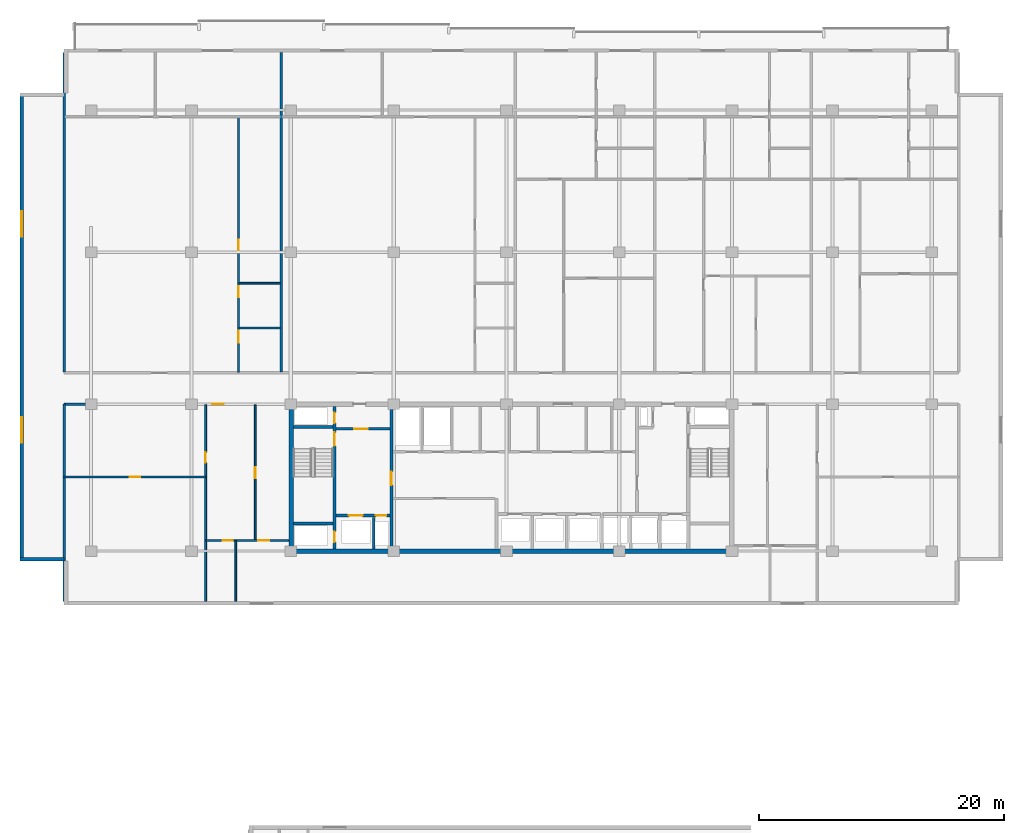
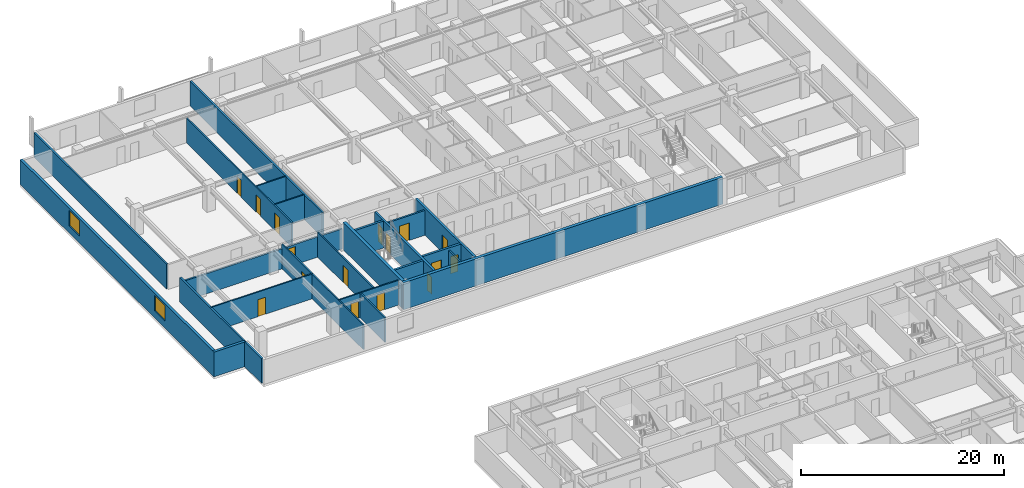
# One storey, part 11 of 22: 23 walls, 16 doors, 2 windows, 18 openings.
"""IFC4 building model written with IfcOpenShell, lengths in metres."""

from ifc_helpers import new_model, si_unit, direction, frame, frame_2d, origin, place, context, subcontext, project, spatial, rectangle, extrude, material, layer, layer_set, type_object, element, fill, save


model = new_model("IFC4")

# Units and contexts
model_context = context("Model", 3, precision=1e-05, world=origin(), true_north=direction((0.0, 1.0)))
body_context = subcontext(model_context, "Body", "Model", "MODEL_VIEW")
ifc_project = project(units=[si_unit("LENGTHUNIT", "METRE"), si_unit("AREAUNIT", "SQUARE_METRE"), si_unit("VOLUMEUNIT", "CUBIC_METRE"), si_unit("PLANEANGLEUNIT", "RADIAN"), si_unit("MASSUNIT", "GRAM", prefix="KILO")], contexts=[model_context])

# Site, building, storey
site_placement = place(None, origin())
site = spatial("IfcSite", under=ifc_project, at=site_placement, CompositionType="ELEMENT")
building_placement = place(site_placement, origin())
building = spatial("IfcBuilding", under=site, at=building_placement, Name="Korimba Cascade Residences", CompositionType="ELEMENT")
storey_placement = place(building_placement, frame((0.0, 0.0, 110.050048828125)))
storey = spatial("IfcBuildingStorey", under=building, at=storey_placement, Name="L31", CompositionType="ELEMENT", Elevation=110.050048828125)

# Wall, openings, windows
ifc_material_1 = material(Name="Precast concrete C40/50", Category="concrete")
ifc_layer_1 = layer(ifc_material_1, 0.300048828125)
ifc_layer_set_1 = layer_set([ifc_layer_1], Name="Precast concrete C40/50")
wall_type_1 = type_object("IfcWallType", Name="EW-STONE-300", PredefinedType="STANDARD", material=ifc_layer_set_1)
wall_1_placement = place(storey_placement, frame((54.14990234375, 92.60009765625, 0.0), z_axis=(0.0, 0.0, 1.0), x_axis=(0.0, -1.0, 0.0)))
wall_1 = element("IfcWall", 1, at=wall_1_placement, inside=storey, type_object=wall_type_1, Name="L31 T1 Perimeter Stone Wall E09", PredefinedType="STANDARD", context=body_context, shape_type="SweptSolid", body=[
    extrude(rectangle(XDim=38.2001953125, YDim=0.300048828125, at=frame_2d((19.10009765625, 0.0))), origin(), (0.0, 0.0, 1.0), 2.969970703125),
])
opening_1_placement = place(wall_1_placement, frame((9.64599609375, 0.0, 0.85009765625)))
opening_1 = element("IfcOpeningElement", 2, at=opening_1_placement, cuts=wall_1, Name="Opening W-03", PredefinedType="OPENING", context=body_context, shape_type="SweptSolid", body=[
    extrude(rectangle(XDim=2.10009765625, YDim=1.85009765625, at=frame_2d((1.050048828125, 0.925048828125))), frame((0.0, 0.16015625, 0.0), z_axis=(0.0, -1.0, 0.0), x_axis=(1.0, 0.0, 0.0)), (0.0, 0.0, 1.0), 0.320068359375),
])
opening_2_placement = place(wall_1_placement, frame((26.4541015625, 0.0, 0.85009765625)))
opening_2 = element("IfcOpeningElement", 3, at=opening_2_placement, cuts=wall_1, Name="Opening W-03", PredefinedType="OPENING", context=body_context, shape_type="SweptSolid", body=[
    extrude(rectangle(XDim=2.10009765625, YDim=1.85009765625, at=frame_2d((1.050048828125, 0.925048828125))), frame((0.0, 0.16015625, 0.0), z_axis=(0.0, -1.0, 0.0), x_axis=(1.0, 0.0, 0.0)), (0.0, 0.0, 1.0), 0.320068359375),
])
ifc_material_2 = material(Name="Double-Glazed Aluminium Window", Category="aluminium")
window_type = type_object("IfcWindowType", Name="WIN-CRN-2100", PartitioningType="DOUBLE_PANEL_HORIZONTAL", PredefinedType="WINDOW", material=ifc_material_2)
window_1_placement = place(opening_1_placement, origin())
window_1 = element("IfcWindow", 4, at=window_1_placement, inside=storey, type_object=window_type, Name="L31 T1 End View Window 9.1", OverallHeight=1.85009765625, OverallWidth=2.10009765625, PartitioningType="DOUBLE_PANEL_HORIZONTAL", PredefinedType="WINDOW", context=body_context, shape_type="SweptSolid", body=[
    extrude(rectangle(XDim=2.10009765625, YDim=1.85009765625, at=frame_2d((1.050048828125, 0.925048828125))), frame((0.0, 0.030029296875, 0.0), z_axis=(0.0, -1.0, 0.0), x_axis=(1.0, 0.0, 0.0)), (0.0, 0.0, 1.0), 0.06005859375),
])
fill(opening_1, window_1)
window_2_placement = place(opening_2_placement, origin())
window_2 = element("IfcWindow", 5, at=window_2_placement, inside=storey, type_object=window_type, Name="L31 T1 End View Window 9.2", OverallHeight=1.85009765625, OverallWidth=2.10009765625, PartitioningType="DOUBLE_PANEL_HORIZONTAL", PredefinedType="WINDOW", context=body_context, shape_type="SweptSolid", body=[
    extrude(rectangle(XDim=2.10009765625, YDim=1.85009765625, at=frame_2d((1.050048828125, 0.925048828125))), frame((0.0, 0.030029296875, 0.0), z_axis=(0.0, -1.0, 0.0), x_axis=(1.0, 0.0, 0.0)), (0.0, 0.0, 1.0), 0.06005859375),
])
fill(opening_2, window_2)

# Walls
wall_2_placement = place(storey_placement, frame((54.0, 54.550048828125, 0.0), z_axis=(0.0, 0.0, 1.0), x_axis=(1.0, 0.0, 0.0)))
element("IfcWall", 6, at=wall_2_placement, inside=storey, type_object=wall_type_1, Name="L31 T1 Perimeter Stone Wall E10", PredefinedType="STANDARD", context=body_context, shape_type="SweptSolid", body=[
    extrude(rectangle(XDim=3.60009765625, YDim=0.300048828125, at=frame_2d((1.800048828125, 0.0))), origin(), (0.0, 0.0, 1.0), 2.969970703125),
])
ifc_material_3 = material(Name="Concrete C65/80", Category="concrete")
ifc_layer_2 = layer(ifc_material_3, 0.35009765625)
ifc_layer_set_2 = layer_set([ifc_layer_2], Name="Concrete C65/80")
wall_type_2 = type_object("IfcWallType", Name="WAL-CORE-350", PredefinedType="SHEAR", material=ifc_layer_set_2)
wall_3_placement = place(storey_placement, frame((75.949951171875, 55.199951171875, 0.0), z_axis=(0.0, 0.0, 1.0), x_axis=(1.0, 0.0, 0.0)))
element("IfcWall", 7, at=wall_3_placement, inside=storey, type_object=wall_type_2, Name="L31 Core Shear Wall CW-L31-T1-S", PredefinedType="SHEAR", context=body_context, shape_type="SweptSolid", body=[
    extrude(rectangle(XDim=36.300048828125, YDim=0.35009765625, at=frame_2d((18.14990234375, 0.0))), origin(), (0.0, 0.0, 1.0), 3.25),
])
wall_4_placement = place(storey_placement, frame((76.125, 55.375, 0.0), z_axis=(0.0, 0.0, 1.0), x_axis=(0.0, 1.0, 0.0)))
element("IfcWall", 8, at=wall_4_placement, inside=storey, type_object=wall_type_2, Name="L31 Core Shear Wall CW-L31-T1-W", PredefinedType="SHEAR", context=body_context, shape_type="SweptSolid", body=[
    extrude(rectangle(XDim=11.64990234375, YDim=0.35009765625, at=frame_2d((5.824951171875, 0.0))), origin(), (0.0, 0.0, 1.0), 3.25),
])
ifc_layer_3 = layer(ifc_material_1, 0.199951171875)
ifc_layer_set_3 = layer_set([ifc_layer_3], Name="Precast concrete C40/50")
wall_type_3 = type_object("IfcWallType", Name="WAL-IT-200", PredefinedType="PARTITIONING", material=ifc_layer_set_3)
wall_5_placement = place(storey_placement, frame((57.60009765625, 51.10009765625, 0.0), z_axis=(0.0, 0.0, 1.0), x_axis=(0.0, 1.0, 0.0)))
element("IfcWall", 9, at=wall_5_placement, inside=storey, type_object=wall_type_3, Name="L31 Partition Wall WAL-L31-T1-FW-WL", PredefinedType="PARTITIONING", context=body_context, shape_type="SweptSolid", body=[
    extrude(rectangle(XDim=16.099853515625, YDim=0.199951171875, at=frame_2d((8.0498046875, 0.0))), origin(), (0.0, 0.0, 1.0), 2.969970703125),
])

# Wall, opening, door
wall_6_placement = place(storey_placement, frame((57.60009765625, 67.199951171875, 0.0), z_axis=(0.0, 0.0, 1.0), x_axis=(1.0, 0.0, 0.0)))
wall_6 = element("IfcWall", 10, at=wall_6_placement, inside=storey, type_object=wall_type_3, Name="L31 Partition Wall WAL-L31-T1-FW-N", PredefinedType="PARTITIONING", context=body_context, shape_type="SweptSolid", body=[
    extrude(rectangle(XDim=18.349853515625, YDim=0.199951171875, at=frame_2d((9.1748046875, 0.0))), origin(), (0.0, 0.0, 1.0), 2.433349609375),
])
opening_3_placement = place(wall_6_placement, frame((12.07470703125, 0.0, 0.0)))
opening_3 = element("IfcOpeningElement", 11, at=opening_3_placement, cuts=wall_6, Name="Opening D-UN1", PredefinedType="OPENING", context=body_context, shape_type="SweptSolid", body=[
    extrude(rectangle(XDim=0.949951171875, YDim=2.14990234375, at=frame_2d((0.47509765625, 1.074951171875))), frame((0.0, 0.10986328125, 0.0), z_axis=(0.0, -1.0, 0.0), x_axis=(1.0, 0.0, 0.0)), (0.0, 0.0, 1.0), 0.219970703125),
])
ifc_material_4 = material(Name="Fire-Rated Hardwood Apartment Entrance Door", Category="wood")
door_type_1 = type_object("IfcDoorType", Name="DR-FD60-950", OperationType="NOTDEFINED", PredefinedType="DOOR", material=ifc_material_4)
door_1_placement = place(opening_3_placement, origin())
door_1 = element("IfcDoor", 12, at=door_1_placement, inside=storey, type_object=door_type_1, Name="L31-T1-FW Entrance Door", OperationType="SINGLE_SWING_LEFT", OverallHeight=2.14990234375, OverallWidth=0.949951171875, PredefinedType="DOOR", context=body_context, shape_type="SweptSolid", body=[
    extrude(rectangle(XDim=0.949951171875, YDim=2.14990234375, at=frame_2d((0.47509765625, 1.074951171875))), frame((0.0, 0.02490234375, 0.0), z_axis=(0.0, -1.0, 0.0), x_axis=(1.0, 0.0, 0.0)), (0.0, 0.0, 1.0), 0.050048828125),
])
fill(opening_3, door_1)

# Walls
for number, where, z_axis, x_axis, name in (
    (13, (57.60009765625, 69.830078125, 0.0), (0.0, 0.0, 1.0), (0.0, 1.0, 0.0), "L31 Partition Wall WAL-L31-T1-BNDWL"),
    (14, (75.32470703125, 69.830078125, 0.0), (0.0, 0.0, 1.0), (0.0, 1.0, 0.0), "L31 Partition Wall WAL-L31-T1-DEM-1"),
):
    element("IfcWall", number, at=place(storey_placement, frame(where, z_axis=z_axis, x_axis=x_axis)), inside=storey, type_object=wall_type_3, Name=name, PredefinedType="PARTITIONING", context=body_context, shape_type="SweptSolid", body=[
        extrude(rectangle(XDim=26.06982421875, YDim=0.199951171875, at=frame_2d((13.034912109375, 0.0))), origin(), (0.0, 0.0, 1.0), 2.969970703125),
    ])

# Wall, opening, door
ifc_material_5 = material(Name="Insulated Acoustic Stud Partition", Category="gypsum")
ifc_layer_4 = layer(ifc_material_5, 0.14990234375)
ifc_layer_set_4 = layer_set([ifc_layer_4], Name="Insulated Acoustic Stud Partition")
wall_type_4 = type_object("IfcWallType", Name="WAL-PART-150", PredefinedType="PARTITIONING", material=ifc_layer_set_4)
wall_7_placement = place(storey_placement, frame((57.60009765625, 61.25, 0.0), z_axis=(0.0, 0.0, 1.0), x_axis=(1.0, 0.0, 0.0)))
wall_7 = element("IfcWall", 15, at=wall_7_placement, inside=storey, type_object=wall_type_4, Name="L31 Partition Wall WAL-L31-T1-FW-STH", PredefinedType="PARTITIONING", context=body_context, shape_type="SweptSolid", body=[
    extrude(rectangle(XDim=11.5498046875, YDim=0.14990234375, at=frame_2d((5.77490234375, 0.0))), origin(), (0.0, 0.0, 1.0), 2.969970703125),
])
opening_4_placement = place(wall_7_placement, frame((5.35498046875, 0.0, 0.0)))
opening_4 = element("IfcOpeningElement", 16, at=opening_4_placement, cuts=wall_7, Name="Opening D-BT1", PredefinedType="OPENING", context=body_context, shape_type="SweptSolid", body=[
    extrude(rectangle(XDim=0.840087890625, YDim=2.0400390625, at=frame_2d((0.419921875, 1.02001953125))), frame((0.0, 0.0849609375, 0.0), z_axis=(0.0, -1.0, 0.0), x_axis=(1.0, 0.0, 0.0)), (0.0, 0.0, 1.0), 0.169921875),
])
ifc_material_6 = material(Name="Moisture-Resistant Bathroom Timber Door", Category="wood")
door_type_2 = type_object("IfcDoorType", Name="DR-INT-850", OperationType="NOTDEFINED", PredefinedType="DOOR", material=ifc_material_6)
door_2_placement = place(opening_4_placement, origin())
door_2 = element("IfcDoor", 17, at=door_2_placement, inside=storey, type_object=door_type_2, Name="L31-T1-FW Dressing Store Door", OperationType="SINGLE_SWING_RIGHT", OverallHeight=2.0400390625, OverallWidth=0.840087890625, PredefinedType="DOOR", context=body_context, shape_type="SweptSolid", body=[
    extrude(rectangle(XDim=0.840087890625, YDim=2.0400390625, at=frame_2d((0.419921875, 1.02001953125))), frame((0.0, 0.02490234375, 0.0), z_axis=(0.0, -1.0, 0.0), x_axis=(1.0, 0.0, 0.0)), (0.0, 0.0, 1.0), 0.050048828125),
])
fill(opening_4, door_2)

wall_8_placement = place(storey_placement, frame((69.14990234375, 51.10009765625, 0.0), z_axis=(0.0, 0.0, 1.0), x_axis=(0.0, 1.0, 0.0)))
wall_8 = element("IfcWall", 18, at=wall_8_placement, inside=storey, type_object=wall_type_4, Name="L31 Partition Wall WAL-L31-T1-FW-STV", PredefinedType="PARTITIONING", context=body_context, shape_type="SweptSolid", body=[
    extrude(rectangle(XDim=16.0498046875, YDim=0.14990234375, at=frame_2d((8.02490234375, 0.0))), origin(), (0.0, 0.0, 1.0), 2.969970703125),
])
opening_5_placement = place(wall_8_placement, frame((11.300048828125, 0.0, 0.0)))
opening_5 = element("IfcOpeningElement", 19, at=opening_5_placement, cuts=wall_8, Name="Opening D-IN2", PredefinedType="OPENING", context=body_context, shape_type="SweptSolid", body=[
    extrude(rectangle(XDim=0.8798828125, YDim=2.06005859375, at=frame_2d((0.43994140625, 1.030029296875))), frame((0.0, 0.0849609375, 0.0), z_axis=(0.0, -1.0, 0.0), x_axis=(1.0, 0.0, 0.0)), (0.0, 0.0, 1.0), 0.169921875),
])
ifc_material_7 = material(Name="Acoustic Timber Bedroom Door", Category="wood")
door_type_3 = type_object("IfcDoorType", Name="DR-INT-880", OperationType="NOTDEFINED", PredefinedType="DOOR", material=ifc_material_7)
door_3_placement = place(opening_5_placement, origin())
door_3 = element("IfcDoor", 20, at=door_3_placement, inside=storey, type_object=door_type_3, Name="L31-T1-FW Study Door", OperationType="SINGLE_SWING_LEFT", OverallHeight=2.06005859375, OverallWidth=0.8798828125, PredefinedType="DOOR", context=body_context, shape_type="SweptSolid", body=[
    extrude(rectangle(XDim=0.8798828125, YDim=2.06005859375, at=frame_2d((0.43994140625, 1.030029296875))), frame((0.0, 0.02490234375, 0.0), z_axis=(0.0, -1.0, 0.0), x_axis=(1.0, 0.0, 0.0)), (0.0, 0.0, 1.0), 0.050048828125),
])
fill(opening_5, door_3)

wall_9_placement = place(storey_placement, frame((73.199951171875, 56.070068359375, 0.0), z_axis=(0.0, 0.0, 1.0), x_axis=(0.0, 1.0, 0.0)))
wall_9 = element("IfcWall", 21, at=wall_9_placement, inside=storey, type_object=wall_type_4, Name="L31 Partition Wall WAL-L31-T1-FW-VN", PredefinedType="PARTITIONING", context=body_context, shape_type="SweptSolid", body=[
    extrude(rectangle(XDim=11.079833984375, YDim=0.14990234375, at=frame_2d((5.5400390625, 0.0))), origin(), (0.0, 0.0, 1.0), 2.969970703125),
])
opening_6_placement = place(wall_9_placement, frame((5.080078125, 0.0, 0.0)))
opening_6 = element("IfcOpeningElement", 22, at=opening_6_placement, cuts=wall_9, Name="Opening D-IN1", PredefinedType="OPENING", context=body_context, shape_type="SweptSolid", body=[
    extrude(rectangle(XDim=0.919921875, YDim=2.080078125, at=frame_2d((0.4599609375, 1.0400390625))), frame((0.0, 0.0849609375, 0.0), z_axis=(0.0, -1.0, 0.0), x_axis=(1.0, 0.0, 0.0)), (0.0, 0.0, 1.0), 0.169921875),
])
ifc_material_8 = material(Name="Acoustic Timber Living Door", Category="wood")
door_type_4 = type_object("IfcDoorType", Name="DR-INT-920", OperationType="NOTDEFINED", PredefinedType="DOOR", material=ifc_material_8)
door_4_placement = place(opening_6_placement, origin())
door_4 = element("IfcDoor", 23, at=door_4_placement, inside=storey, type_object=door_type_4, Name="L31-T1-FW Living Door", OperationType="SINGLE_SWING_RIGHT", OverallHeight=2.080078125, OverallWidth=0.919921875, PredefinedType="DOOR", context=body_context, shape_type="SweptSolid", body=[
    extrude(rectangle(XDim=0.919921875, YDim=2.080078125, at=frame_2d((0.4599609375, 1.0400390625))), frame((0.0, 0.02490234375, 0.0), z_axis=(0.0, -1.0, 0.0), x_axis=(1.0, 0.0, 0.0)), (0.0, 0.0, 1.0), 0.050048828125),
])
fill(opening_6, door_4)

# Wall
wall_10_placement = place(storey_placement, frame((71.60009765625, 51.10009765625, 0.0), z_axis=(0.0, 0.0, 1.0), x_axis=(0.0, 1.0, 0.0)))
element("IfcWall", 24, at=wall_10_placement, inside=storey, type_object=wall_type_4, Name="L31 Partition Wall WAL-L31-T1-FW-VS", PredefinedType="PARTITIONING", context=body_context, shape_type="SweptSolid", body=[
    extrude(rectangle(XDim=4.969970703125, YDim=0.14990234375, at=frame_2d((2.48486328125, 0.0))), origin(), (0.0, 0.0, 1.0), 2.969970703125),
])

# Wall, openings, doors
wall_11_placement = place(storey_placement, frame((69.169921875, 56.070068359375, 0.0), z_axis=(0.0, 0.0, 1.0), x_axis=(1.0, 0.0, 0.0)))
wall_11 = element("IfcWall", 25, at=wall_11_placement, inside=storey, type_object=wall_type_4, Name="L31 Partition Wall WAL-L31-T1-FW-H", PredefinedType="PARTITIONING", context=body_context, shape_type="SweptSolid", body=[
    extrude(rectangle(XDim=6.760009765625, YDim=0.14990234375, at=frame_2d((3.3798828125, 0.0))), origin(), (0.0, 0.0, 1.0), 2.969970703125),
])
opening_7_placement = place(wall_11_placement, frame((1.3623046875, 0.0, 0.0)))
opening_7 = element("IfcOpeningElement", 26, at=opening_7_placement, cuts=wall_11, Name="Opening D-BT1", PredefinedType="OPENING", context=body_context, shape_type="SweptSolid", body=[
    extrude(rectangle(XDim=0.840087890625, YDim=2.0400390625, at=frame_2d((0.419921875, 1.02001953125))), frame((0.0, 0.0849609375, 0.0), z_axis=(0.0, -1.0, 0.0), x_axis=(1.0, 0.0, 0.0)), (0.0, 0.0, 1.0), 0.169921875),
])
opening_8_placement = place(wall_11_placement, frame((4.276611328125, 0.0, 0.0)))
opening_8 = element("IfcOpeningElement", 27, at=opening_8_placement, cuts=wall_11, Name="Opening D-IN2", PredefinedType="OPENING", context=body_context, shape_type="SweptSolid", body=[
    extrude(rectangle(XDim=0.8798828125, YDim=2.06005859375, at=frame_2d((0.43994140625, 1.030029296875))), frame((0.0, 0.0849609375, 0.0), z_axis=(0.0, -1.0, 0.0), x_axis=(1.0, 0.0, 0.0)), (0.0, 0.0, 1.0), 0.169921875),
])
door_5_placement = place(opening_7_placement, origin())
door_5 = element("IfcDoor", 28, at=door_5_placement, inside=storey, type_object=door_type_2, Name="L31-T1-FW Bathroom Door", OperationType="SINGLE_SWING_LEFT", OverallHeight=2.0400390625, OverallWidth=0.840087890625, PredefinedType="DOOR", context=body_context, shape_type="SweptSolid", body=[
    extrude(rectangle(XDim=0.840087890625, YDim=2.0400390625, at=frame_2d((0.419921875, 1.02001953125))), frame((0.0, 0.02490234375, 0.0), z_axis=(0.0, -1.0, 0.0), x_axis=(1.0, 0.0, 0.0)), (0.0, 0.0, 1.0), 0.050048828125),
])
fill(opening_7, door_5)
door_6_placement = place(opening_8_placement, origin())
door_6 = element("IfcDoor", 29, at=door_6_placement, inside=storey, type_object=door_type_3, Name="L31-T1-FW Bedroom Door", OperationType="SINGLE_SWING_RIGHT", OverallHeight=2.06005859375, OverallWidth=0.8798828125, PredefinedType="DOOR", context=body_context, shape_type="SweptSolid", body=[
    extrude(rectangle(XDim=0.8798828125, YDim=2.06005859375, at=frame_2d((0.43994140625, 1.030029296875))), frame((0.0, 0.02490234375, 0.0), z_axis=(0.0, -1.0, 0.0), x_axis=(1.0, 0.0, 0.0)), (0.0, 0.0, 1.0), 0.050048828125),
])
fill(opening_8, door_6)

# Walls
for number, where, z_axis, x_axis, name in (
    (30, (71.884765625, 73.419921875, 0.0), (0.0, 0.0, 1.0), (1.0, 0.0, 0.0), "L31 Partition Wall WAL-L31-T1-U01-WCH"),
    (31, (71.884765625, 77.070068359375, 0.0), (0.0, 0.0, 1.0), (1.0, 0.0, 0.0), "L31 Partition Wall WAL-L31-T1-U01-WCH2"),
):
    element("IfcWall", number, at=place(storey_placement, frame(where, z_axis=z_axis, x_axis=x_axis)), inside=storey, type_object=wall_type_4, Name=name, PredefinedType="PARTITIONING", context=body_context, shape_type="SweptSolid", body=[
        extrude(rectangle(XDim=3.35986328125, YDim=0.14990234375, at=frame_2d((1.679931640625, 0.0))), origin(), (0.0, 0.0, 1.0), 2.969970703125),
    ])

# Wall, openings, doors
wall_12_placement = place(storey_placement, frame((71.82470703125, 69.81005859375, 0.0), z_axis=(0.0, 0.0, 1.0), x_axis=(0.0, 1.0, 0.0)))
wall_12 = element("IfcWall", 32, at=wall_12_placement, inside=storey, type_object=wall_type_4, Name="L31 Partition Wall WAL-L31-T1-U01-WCV", PredefinedType="PARTITIONING", context=body_context, shape_type="SweptSolid", body=[
    extrude(rectangle(XDim=20.780029296875, YDim=0.14990234375, at=frame_2d((10.39013671875, 0.0))), origin(), (0.0, 0.0, 1.0), 2.969970703125),
])
opening_9_placement = place(wall_12_placement, frame((2.406005859375, 0.0, 0.0)))
opening_9 = element("IfcOpeningElement", 33, at=opening_9_placement, cuts=wall_12, Name="Opening D-AC1", PredefinedType="OPENING", context=body_context, shape_type="SweptSolid", body=[
    extrude(rectangle(XDim=0.9599609375, YDim=2.10009765625, at=frame_2d((0.47998046875, 1.050048828125))), frame((0.0, 0.0849609375, 0.0), z_axis=(0.0, -1.0, 0.0), x_axis=(1.0, 0.0, 0.0)), (0.0, 0.0, 1.0), 0.169921875),
])
opening_10_placement = place(wall_12_placement, frame((6.132568359375, 0.0, 0.0)))
opening_10 = element("IfcOpeningElement", 34, at=opening_10_placement, cuts=wall_12, Name="Opening D-IN2", PredefinedType="OPENING", context=body_context, shape_type="SweptSolid", body=[
    extrude(rectangle(XDim=0.8798828125, YDim=2.06005859375, at=frame_2d((0.43994140625, 1.030029296875))), frame((0.0, 0.0849609375, 0.0), z_axis=(0.0, -1.0, 0.0), x_axis=(1.0, 0.0, 0.0)), (0.0, 0.0, 1.0), 0.169921875),
])
opening_11_placement = place(wall_12_placement, frame((9.969970703125, 0.0, 0.0)))
opening_11 = element("IfcOpeningElement", 35, at=opening_11_placement, cuts=wall_12, Name="Opening D-BT1", PredefinedType="OPENING", context=body_context, shape_type="SweptSolid", body=[
    extrude(rectangle(XDim=0.840087890625, YDim=2.0400390625, at=frame_2d((0.419921875, 1.02001953125))), frame((0.0, 0.0849609375, 0.0), z_axis=(0.0, -1.0, 0.0), x_axis=(1.0, 0.0, 0.0)), (0.0, 0.0, 1.0), 0.169921875),
])
ifc_material_9 = material(Name="Accessible Acoustic Timber WC Door", Category="wood")
door_type_5 = type_object("IfcDoorType", Name="DR-ACC-950", OperationType="NOTDEFINED", PredefinedType="DOOR", material=ifc_material_9)
door_7_placement = place(opening_9_placement, origin())
door_7 = element("IfcDoor", 36, at=door_7_placement, inside=storey, type_object=door_type_5, Name="L31-T1-U01 Accessible WC Door", OperationType="SINGLE_SWING_RIGHT", OverallHeight=2.10009765625, OverallWidth=0.9599609375, PredefinedType="DOOR", context=body_context, shape_type="SweptSolid", body=[
    extrude(rectangle(XDim=0.9599609375, YDim=2.10009765625, at=frame_2d((0.47998046875, 1.050048828125))), frame((0.0, 0.02490234375, 0.0), z_axis=(0.0, -1.0, 0.0), x_axis=(1.0, 0.0, 0.0)), (0.0, 0.0, 1.0), 0.050048828125),
])
fill(opening_9, door_7)
door_8_placement = place(opening_11_placement, origin())
door_8 = element("IfcDoor", 37, at=door_8_placement, inside=storey, type_object=door_type_2, Name="L31-T1-U01 Suite Store Door", OperationType="SINGLE_SWING_RIGHT", OverallHeight=2.0400390625, OverallWidth=0.840087890625, PredefinedType="DOOR", context=body_context, shape_type="SweptSolid", body=[
    extrude(rectangle(XDim=0.840087890625, YDim=2.0400390625, at=frame_2d((0.419921875, 1.02001953125))), frame((0.0, 0.02490234375, 0.0), z_axis=(0.0, -1.0, 0.0), x_axis=(1.0, 0.0, 0.0)), (0.0, 0.0, 1.0), 0.050048828125),
])
fill(opening_11, door_8)
door_9_placement = place(opening_10_placement, origin())
door_9 = element("IfcDoor", 38, at=door_9_placement, inside=storey, type_object=door_type_3, Name="L31-T1-U01 Restroom WC Door", OperationType="SINGLE_SWING_LEFT", OverallHeight=2.06005859375, OverallWidth=0.8798828125, PredefinedType="DOOR", context=body_context, shape_type="SweptSolid", body=[
    extrude(rectangle(XDim=0.8798828125, YDim=2.06005859375, at=frame_2d((0.43994140625, 1.030029296875))), frame((0.0, 0.02490234375, 0.0), z_axis=(0.0, -1.0, 0.0), x_axis=(1.0, 0.0, 0.0)), (0.0, 0.0, 1.0), 0.050048828125),
])
fill(opening_10, door_9)

# Wall
ifc_material_10 = material(Name="Concrete C40/50", Category="concrete")
ifc_layer_5 = layer(ifc_material_10, 0.199951171875)
ifc_layer_set_5 = layer_set([ifc_layer_5], Name="Concrete C40/50")
wall_type_5 = type_object("IfcWallType", Name="WAL-PART-200", PredefinedType="PARTITIONING", material=ifc_layer_set_5)
wall_13_placement = place(storey_placement, frame((82.85009765625, 55.39990234375, 0.0), z_axis=(0.0, 0.0, 1.0), x_axis=(0.0, 1.0, 0.0)))
element("IfcWall", 39, at=wall_13_placement, inside=storey, type_object=wall_type_5, Name="L31 Partition Wall CW-L31-T1-FFLDIV", PredefinedType="PARTITIONING", context=body_context, shape_type="SweptSolid", body=[
    extrude(rectangle(XDim=2.56005859375, YDim=0.199951171875, at=frame_2d((1.280029296875, 0.0))), origin(), (0.0, 0.0, 1.0), 2.969970703125),
])

# Wall, opening, door
wall_14_placement = place(storey_placement, frame((79.7900390625, 65.179931640625, 0.0), z_axis=(0.0, 0.0, 1.0), x_axis=(1.0, 0.0, 0.0)))
wall_14 = element("IfcWall", 40, at=wall_14_placement, inside=storey, type_object=wall_type_5, Name="L31 Partition Wall CW-L31-T1-FFLN", PredefinedType="PARTITIONING", context=body_context, shape_type="SweptSolid", body=[
    extrude(rectangle(XDim=4.389892578125, YDim=0.199951171875, at=frame_2d((2.19482421875, 0.0))), origin(), (0.0, 0.0, 1.0), 2.969970703125),
])
opening_12_placement = place(wall_14_placement, frame((1.5, 0.0, 0.0)))
opening_12 = element("IfcOpeningElement", 41, at=opening_12_placement, cuts=wall_14, Name="Opening D-FD1", PredefinedType="OPENING", context=body_context, shape_type="SweptSolid", body=[
    extrude(rectangle(XDim=1.10009765625, YDim=2.10009765625, at=frame_2d((0.550048828125, 1.050048828125))), frame((0.0, 0.10986328125, 0.0), z_axis=(0.0, -1.0, 0.0), x_axis=(1.0, 0.0, 0.0)), (0.0, 0.0, 1.0), 0.219970703125),
])
ifc_material_11 = material(Name="Fire-Rated Steel Core Door", Category="steel")
door_type_6 = type_object("IfcDoorType", Name="DR-FD120-1100", OperationType="NOTDEFINED", PredefinedType="DOOR", material=ifc_material_11)
door_10_placement = place(opening_12_placement, origin())
door_10 = element("IfcDoor", 42, at=door_10_placement, inside=storey, type_object=door_type_6, Name="L31 West Firefighting Lobby Door", OperationType="SINGLE_SWING_RIGHT", OverallHeight=2.10009765625, OverallWidth=1.10009765625, PredefinedType="DOOR", context=body_context, shape_type="SweptSolid", body=[
    extrude(rectangle(XDim=1.10009765625, YDim=2.10009765625, at=frame_2d((0.550048828125, 1.050048828125))), frame((0.0, 0.02490234375, 0.0), z_axis=(0.0, -1.0, 0.0), x_axis=(1.0, 0.0, 0.0)), (0.0, 0.0, 1.0), 0.050048828125),
])
fill(opening_12, door_10)

# Wall, openings, doors
ifc_material_12 = material(Name="Concrete C50/60", Category="concrete")
ifc_layer_6 = layer(ifc_material_12, 0.25)
ifc_layer_set_6 = layer_set([ifc_layer_6], Name="Concrete C50/60")
wall_type_6 = type_object("IfcWallType", Name="WAL-SHAFT-250", PredefinedType="SHEAR", material=ifc_layer_set_6)
wall_15_placement = place(storey_placement, frame((79.6650390625, 55.39990234375, 0.0), z_axis=(0.0, 0.0, 1.0), x_axis=(0.0, 1.0, 0.0)))
wall_15 = element("IfcWall", 43, at=wall_15_placement, inside=storey, type_object=wall_type_6, Name="L31 Core Shear Wall CW-L31-T1-STW1E", PredefinedType="SHEAR", context=body_context, shape_type="SweptSolid", body=[
    extrude(rectangle(XDim=11.60009765625, YDim=0.25, at=frame_2d((5.800048828125, 0.0))), origin(), (0.0, 0.0, 1.0), 3.25),
])
opening_13_placement = place(wall_15_placement, frame((0.550048828125, 0.0, 0.0)))
opening_13 = element("IfcOpeningElement", 44, at=opening_13_placement, cuts=wall_15, Name="Opening D-RS1", PredefinedType="OPENING", context=body_context, shape_type="SweptSolid", body=[
    extrude(rectangle(XDim=0.85009765625, YDim=2.050048828125, at=frame_2d((0.425048828125, 1.02490234375))), frame((0.0, 0.135009765625, 0.0), z_axis=(0.0, -1.0, 0.0), x_axis=(1.0, 0.0, 0.0)), (0.0, 0.0, 1.0), 0.27001953125),
])
opening_14_placement = place(wall_15_placement, frame((8.39990234375, 0.0, 0.0)))
opening_14 = element("IfcOpeningElement", 45, at=opening_14_placement, cuts=wall_15, Name="Opening D-FD1", PredefinedType="OPENING", context=body_context, shape_type="SweptSolid", body=[
    extrude(rectangle(XDim=1.10009765625, YDim=2.10009765625, at=frame_2d((0.550048828125, 1.050048828125))), frame((0.0, 0.135009765625, 0.0), z_axis=(0.0, -1.0, 0.0), x_axis=(1.0, 0.0, 0.0)), (0.0, 0.0, 1.0), 0.27001953125),
])
opening_15_placement = place(wall_15_placement, frame((10.25, 0.0, 0.0)))
opening_15 = element("IfcOpeningElement", 46, at=opening_15_placement, cuts=wall_15, Name="Opening D-RS1", PredefinedType="OPENING", context=body_context, shape_type="SweptSolid", body=[
    extrude(rectangle(XDim=0.85009765625, YDim=2.050048828125, at=frame_2d((0.425048828125, 1.02490234375))), frame((0.0, 0.135009765625, 0.0), z_axis=(0.0, -1.0, 0.0), x_axis=(1.0, 0.0, 0.0)), (0.0, 0.0, 1.0), 0.27001953125),
])
door_11_placement = place(opening_14_placement, origin())
door_11 = element("IfcDoor", 47, at=door_11_placement, inside=storey, type_object=door_type_6, Name="L31 Fire Stair ST-W1 Door", OperationType="SINGLE_SWING_LEFT", OverallHeight=2.10009765625, OverallWidth=1.10009765625, PredefinedType="DOOR", context=body_context, shape_type="SweptSolid", body=[
    extrude(rectangle(XDim=1.10009765625, YDim=2.10009765625, at=frame_2d((0.550048828125, 1.050048828125))), frame((0.0, 0.02490234375, 0.0), z_axis=(0.0, -1.0, 0.0), x_axis=(1.0, 0.0, 0.0)), (0.0, 0.0, 1.0), 0.050048828125),
])
fill(opening_14, door_11)
ifc_material_13 = material(Name="Fire-Rated Steel Riser Access Door", Category="steel")
door_type_7 = type_object("IfcDoorType", Name="DR-FD60-850", OperationType="NOTDEFINED", PredefinedType="DOOR", material=ifc_material_13)
door_12_placement = place(opening_13_placement, origin())
door_12 = element("IfcDoor", 48, at=door_12_placement, inside=storey, type_object=door_type_7, Name="L31 Smoke Riser Access Door", OperationType="SINGLE_SWING_RIGHT", OverallHeight=2.050048828125, OverallWidth=0.85009765625, PredefinedType="DOOR", context=body_context, shape_type="SweptSolid", body=[
    extrude(rectangle(XDim=0.85009765625, YDim=2.050048828125, at=frame_2d((0.425048828125, 1.02490234375))), frame((0.0, 0.02490234375, 0.0), z_axis=(0.0, -1.0, 0.0), x_axis=(1.0, 0.0, 0.0)), (0.0, 0.0, 1.0), 0.050048828125),
])
fill(opening_13, door_12)
door_13_placement = place(opening_15_placement, origin())
door_13 = element("IfcDoor", 49, at=door_13_placement, inside=storey, type_object=door_type_7, Name="L31 Hydrant Riser Access Door", OperationType="SINGLE_SWING_RIGHT", OverallHeight=2.050048828125, OverallWidth=0.85009765625, PredefinedType="DOOR", context=body_context, shape_type="SweptSolid", body=[
    extrude(rectangle(XDim=0.85009765625, YDim=2.050048828125, at=frame_2d((0.425048828125, 1.02490234375))), frame((0.0, 0.02490234375, 0.0), z_axis=(0.0, -1.0, 0.0), x_axis=(1.0, 0.0, 0.0)), (0.0, 0.0, 1.0), 0.050048828125),
])
fill(opening_15, door_13)

# Walls
for number, where, z_axis, x_axis, name in (
    (50, (76.300048828125, 57.47509765625, 0.0), (0.0, 0.0, 1.0), (1.0, 0.0, 0.0), "L31 Core Shear Wall CW-L31-T1-STW1S"),
    (51, (76.300048828125, 65.324951171875, 0.0), (0.0, 0.0, 1.0), (1.0, 0.0, 0.0), "L31 Core Shear Wall CW-L31-T1-STW1N"),
):
    element("IfcWall", number, at=place(storey_placement, frame(where, z_axis=z_axis, x_axis=x_axis)), inside=storey, type_object=wall_type_6, Name=name, PredefinedType="SHEAR", context=body_context, shape_type="SweptSolid", body=[
        extrude(rectangle(XDim=3.239990234375, YDim=0.25, at=frame_2d((1.6201171875, 0.0))), origin(), (0.0, 0.0, 1.0), 3.25),
    ])

# Wall, openings, doors
wall_16_placement = place(storey_placement, frame((79.7900390625, 58.10009765625, 0.0), z_axis=(0.0, 0.0, 1.0), x_axis=(1.0, 0.0, 0.0)))
wall_16 = element("IfcWall", 52, at=wall_16_placement, inside=storey, type_object=wall_type_6, Name="L31 Core Shear Wall CW-L31-T1-FFLS", PredefinedType="SHEAR", context=body_context, shape_type="SweptSolid", body=[
    extrude(rectangle(XDim=4.389892578125, YDim=0.25, at=frame_2d((2.19482421875, 0.0))), origin(), (0.0, 0.0, 1.0), 3.25),
])
opening_16_placement = place(wall_16_placement, frame((1.050048828125, 0.0, 0.0)))
opening_16 = element("IfcOpeningElement", 53, at=opening_16_placement, cuts=wall_16, Name="Opening LD-01", PredefinedType="OPENING", context=body_context, shape_type="SweptSolid", body=[
    extrude(rectangle(XDim=1.1201171875, YDim=2.1201171875, at=frame_2d((0.56005859375, 1.06005859375))), frame((0.0, 0.135009765625, 0.0), z_axis=(0.0, -1.0, 0.0), x_axis=(1.0, 0.0, 0.0)), (0.0, 0.0, 1.0), 0.27001953125),
])
opening_17_placement = place(wall_16_placement, frame((3.260009765625, 0.0, 0.0)))
opening_17 = element("IfcOpeningElement", 54, at=opening_17_placement, cuts=wall_16, Name="Opening D-RS1", PredefinedType="OPENING", context=body_context, shape_type="SweptSolid", body=[
    extrude(rectangle(XDim=0.85009765625, YDim=2.050048828125, at=frame_2d((0.425048828125, 1.02490234375))), frame((0.0, 0.135009765625, 0.0), z_axis=(0.0, -1.0, 0.0), x_axis=(1.0, 0.0, 0.0)), (0.0, 0.0, 1.0), 0.27001953125),
])
door_14_placement = place(opening_17_placement, origin())
door_14 = element("IfcDoor", 55, at=door_14_placement, inside=storey, type_object=door_type_7, Name="L31 Pressurisation Riser Door", OperationType="SINGLE_SWING_LEFT", OverallHeight=2.050048828125, OverallWidth=0.85009765625, PredefinedType="DOOR", context=body_context, shape_type="SweptSolid", body=[
    extrude(rectangle(XDim=0.85009765625, YDim=2.050048828125, at=frame_2d((0.425048828125, 1.02490234375))), frame((0.0, 0.02490234375, 0.0), z_axis=(0.0, -1.0, 0.0), x_axis=(1.0, 0.0, 0.0)), (0.0, 0.0, 1.0), 0.050048828125),
])
fill(opening_17, door_14)
ifc_material_14 = material(Name="Stainless Steel Lift Landing Sliding Door", Category="steel")
door_type_8 = type_object("IfcDoorType", Name="DR-LIFT-1100", OperationType="NOTDEFINED", PredefinedType="DOOR", material=ifc_material_14)
door_15_placement = place(opening_16_placement, origin())
door_15 = element("IfcDoor", 56, at=door_15_placement, inside=storey, type_object=door_type_8, Name="L31 Firefighting Lift Landing Door FFL-W1", OperationType="SLIDING_TO_LEFT", OverallHeight=2.1201171875, OverallWidth=1.1201171875, PredefinedType="DOOR", context=body_context, shape_type="SweptSolid", body=[
    extrude(rectangle(XDim=1.1201171875, YDim=2.1201171875, at=frame_2d((0.56005859375, 1.06005859375))), frame((0.0, 0.02490234375, 0.0), z_axis=(0.0, -1.0, 0.0), x_axis=(1.0, 0.0, 0.0)), (0.0, 0.0, 1.0), 0.050048828125),
])
fill(opening_16, door_15)

# Wall, opening, door
wall_17_placement = place(storey_placement, frame((84.300048828125, 55.39990234375, 0.0), z_axis=(0.0, 0.0, 1.0), x_axis=(0.0, 1.0, 0.0)))
wall_17 = element("IfcWall", 57, at=wall_17_placement, inside=storey, type_object=wall_type_6, Name="L31 Core Shear Wall CW-L31-T1-FFLE", PredefinedType="SHEAR", context=body_context, shape_type="SweptSolid", body=[
    extrude(rectangle(XDim=11.60009765625, YDim=0.25, at=frame_2d((5.800048828125, 0.0))), origin(), (0.0, 0.0, 1.0), 3.25),
])
opening_18_placement = place(wall_17_placement, frame((5.199951171875, 0.0, 0.0)))
opening_18 = element("IfcOpeningElement", 58, at=opening_18_placement, cuts=wall_17, Name="Opening D-FD1", PredefinedType="OPENING", context=body_context, shape_type="SweptSolid", body=[
    extrude(rectangle(XDim=1.10009765625, YDim=2.10009765625, at=frame_2d((0.550048828125, 1.050048828125))), frame((0.0, 0.135009765625, 0.0), z_axis=(0.0, -1.0, 0.0), x_axis=(1.0, 0.0, 0.0)), (0.0, 0.0, 1.0), 0.27001953125),
])
door_16_placement = place(opening_18_placement, origin())
door_16 = element("IfcDoor", 59, at=door_16_placement, inside=storey, type_object=door_type_6, Name="L31 Firefighting Lobby to Lift Lobby Door", OperationType="SINGLE_SWING_LEFT", OverallHeight=2.10009765625, OverallWidth=1.10009765625, PredefinedType="DOOR", context=body_context, shape_type="SweptSolid", body=[
    extrude(rectangle(XDim=1.10009765625, YDim=2.10009765625, at=frame_2d((0.550048828125, 1.050048828125))), frame((0.0, 0.02490234375, 0.0), z_axis=(0.0, -1.0, 0.0), x_axis=(1.0, 0.0, 0.0)), (0.0, 0.0, 1.0), 0.050048828125),
])
fill(opening_18, door_16)

save(model, "model.ifc")
